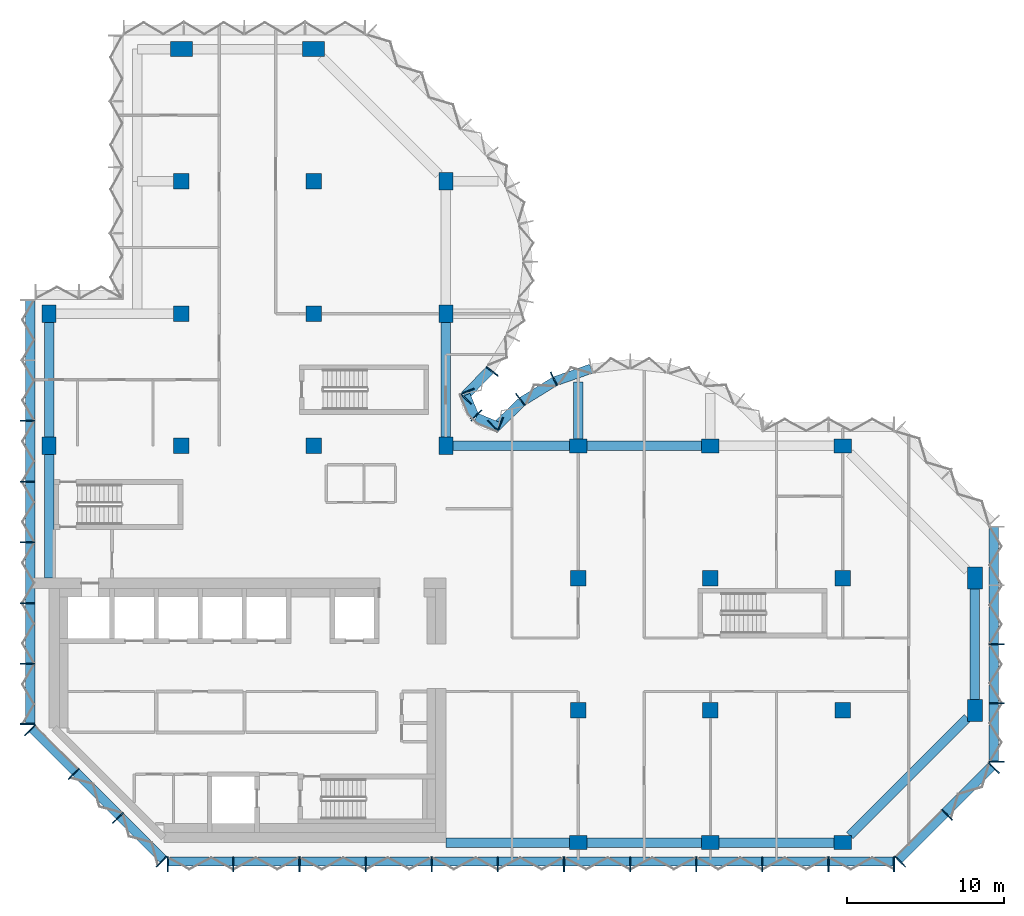
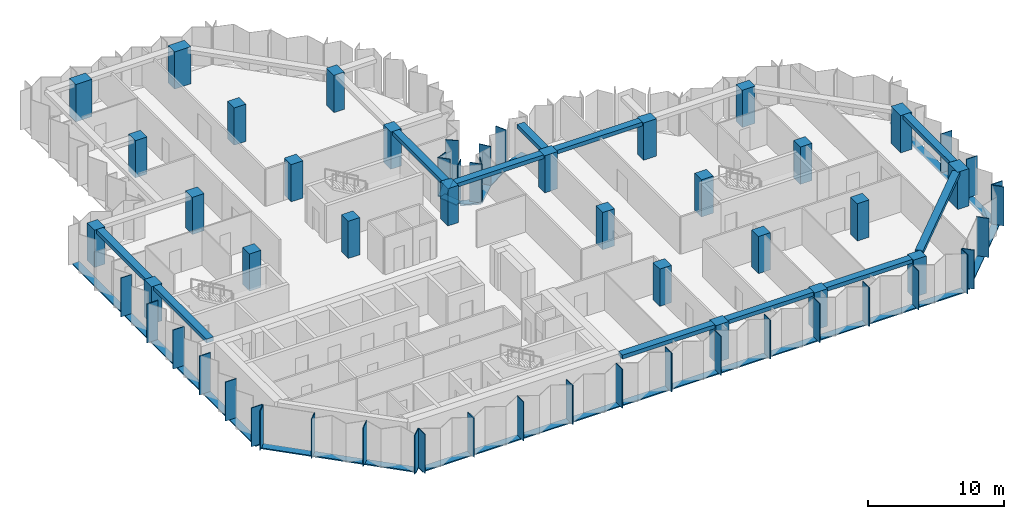
# One storey, part 1 of 10: 47 members, 27 columns, 11 beams, 8 elements without a shape of their own.
"""IFC4 building model written with IfcOpenShell, lengths in metres."""

from ifc_helpers import new_model, si_unit, direction, frame, origin, origin_2d, place, context, subcontext, project, spatial, rectangle, extrude, material, material_profile, profile_set, type_object, element, aggregate, save


model = new_model("IFC4")

# Units and contexts
model_context = context("Model", 3, precision=1e-05, world=origin(), true_north=direction((0.0, 1.0)))
body_context = subcontext(model_context, "Body", "Model", "MODEL_VIEW")
ifc_project = project(units=[si_unit("LENGTHUNIT", "METRE"), si_unit("AREAUNIT", "SQUARE_METRE"), si_unit("VOLUMEUNIT", "CUBIC_METRE"), si_unit("PLANEANGLEUNIT", "RADIAN"), si_unit("MASSUNIT", "GRAM", prefix="KILO")], contexts=[model_context])

# Site, building, storey
site_placement = place(None, origin())
site = spatial("IfcSite", under=ifc_project, at=site_placement, CompositionType="ELEMENT")
building_placement = place(site_placement, origin())
building = spatial("IfcBuilding", under=site, at=building_placement, Name="Brevane Broadcast Tower", CompositionType="ELEMENT")
storey_placement = place(building_placement, frame((0.0, 0.0, 174.0)))
storey = spatial("IfcBuildingStorey", under=building, at=storey_placement, Name="L43", CompositionType="ELEMENT", Elevation=174.0)

# Columns
ifc_material_1 = material(Name="Concrete C60/75", Category="concrete")
ifc_material_profile_1 = material_profile(ifc_material_1, rectangle(XDim=0.89990234375, YDim=1.10009765625, at=origin_2d()), Name="RC 900x1100")
ifc_profile_set_1 = profile_set([ifc_material_profile_1], Name="Concrete C60/75")
column_type_1 = type_object("IfcColumnType", Name="RC COLUMN EDGE 900x1100 C60/75", PredefinedType="COLUMN", material=ifc_profile_set_1)
for number, where, z_axis, x_axis, name in (
    (1, (0.0, 25.199951171875, 0.0), (0.0, 0.0, 1.0), (1.0, 0.0, 0.0), "CE11 1/D"),
    (2, (0.0, 33.60009765625, 0.0), (0.0, 0.0, 1.0), (1.0, 0.0, 0.0), "CE11 1/E"),
    (3, (25.199951171875, 25.199951171875, 0.0), (0.0, 0.0, 1.0), (1.0, 0.0, 0.0), "CE11 4/D"),
    (4, (25.199951171875, 33.60009765625, 0.0), (0.0, 0.0, 1.0), (1.0, 0.0, 0.0), "CE11 4/E"),
    (5, (25.199951171875, 42.0, 0.0), (0.0, 0.0, 1.0), (1.0, 0.0, 0.0), "CE11 4/F"),
    (6, (33.60009765625, 0.0, 0.0), (0.0, 0.0, 1.0), (0.0, 1.0, 0.0), "CE11 5/A"),
    (7, (33.60009765625, 25.199951171875, 0.0), (0.0, 0.0, 1.0), (0.0, 1.0, 0.0), "CE11 5/D"),
    (8, (42.0, 0.0, 0.0), (0.0, 0.0, 1.0), (0.0, 1.0, 0.0), "CE11 6/A"),
    (9, (42.0, 25.199951171875, 0.0), (0.0, 0.0, 1.0), (0.0, 1.0, 0.0), "CE11 6/D"),
    (10, (50.39990234375, 0.0, 0.0), (0.0, 0.0, 1.0), (0.0, 1.0, 0.0), "CE11 7/A"),
    (11, (50.39990234375, 25.199951171875, 0.0), (0.0, 0.0, 1.0), (0.0, 1.0, 0.0), "CE11 7/D"),
):
    element("IfcColumn", number, at=place(storey_placement, frame(where, z_axis=z_axis, x_axis=x_axis)), inside=storey, type_object=column_type_1, Name=name, PredefinedType="COLUMN", context=body_context, shape_type="SweptSolid", body=[
        extrude(rectangle(XDim=0.89990234375, YDim=1.10009765625, at=origin_2d()), origin(), (0.0, 0.0, 1.0), 3.35009765625),
    ])
ifc_material_profile_2 = material_profile(ifc_material_1, rectangle(XDim=1.0, YDim=1.0, at=origin_2d()), Name="RC 1000x1000")
ifc_profile_set_2 = profile_set([ifc_material_profile_2], Name="Concrete C60/75")
column_type_2 = type_object("IfcColumnType", Name="RC COLUMN INTERIOR 1000x1000 C60/75", PredefinedType="COLUMN", material=ifc_profile_set_2)
for number, where, z_axis, x_axis, name in (
    (12, (8.39990234375, 25.199951171875, 0.0), (0.0, 0.0, 1.0), (1.0, 0.0, 0.0), "CI12 2/D"),
    (13, (8.39990234375, 33.60009765625, 0.0), (0.0, 0.0, 1.0), (1.0, 0.0, 0.0), "CI12 2/E"),
    (14, (8.39990234375, 42.0, 0.0), (0.0, 0.0, 1.0), (1.0, 0.0, 0.0), "CI12 2/F"),
    (15, (16.800048828125, 25.199951171875, 0.0), (0.0, 0.0, 1.0), (1.0, 0.0, 0.0), "CI12 3/D"),
    (16, (16.800048828125, 33.60009765625, 0.0), (0.0, 0.0, 1.0), (1.0, 0.0, 0.0), "CI12 3/E"),
    (17, (16.800048828125, 42.0, 0.0), (0.0, 0.0, 1.0), (1.0, 0.0, 0.0), "CI12 3/F"),
    (18, (33.60009765625, 8.39990234375, 0.0), (0.0, 0.0, 1.0), (1.0, 0.0, 0.0), "CI12 5/B"),
    (19, (33.60009765625, 16.800048828125, 0.0), (0.0, 0.0, 1.0), (1.0, 0.0, 0.0), "CI12 5/C"),
    (20, (42.0, 8.39990234375, 0.0), (0.0, 0.0, 1.0), (1.0, 0.0, 0.0), "CI12 6/B"),
    (21, (42.0, 16.800048828125, 0.0), (0.0, 0.0, 1.0), (1.0, 0.0, 0.0), "CI12 6/C"),
    (22, (50.39990234375, 8.39990234375, 0.0), (0.0, 0.0, 1.0), (1.0, 0.0, 0.0), "CI12 7/B"),
    (23, (50.39990234375, 16.800048828125, 0.0), (0.0, 0.0, 1.0), (1.0, 0.0, 0.0), "CI12 7/C"),
):
    element("IfcColumn", number, at=place(storey_placement, frame(where, z_axis=z_axis, x_axis=x_axis)), inside=storey, type_object=column_type_2, Name=name, PredefinedType="COLUMN", context=body_context, shape_type="SweptSolid", body=[
        extrude(rectangle(XDim=1.0, YDim=1.0, at=origin_2d()), origin(), (0.0, 0.0, 1.0), 3.35009765625),
    ])
ifc_material_profile_3 = material_profile(ifc_material_1, rectangle(XDim=0.949951171875, YDim=1.39990234375, at=origin_2d()), Name="RC 950x1400")
ifc_profile_set_3 = profile_set([ifc_material_profile_3], Name="Concrete C60/75")
column_type_3 = type_object("IfcColumnType", Name="RC COLUMN WING-END 950x1400 C60/75", PredefinedType="COLUMN", material=ifc_profile_set_3)
for number, where, z_axis, x_axis, name in (
    (24, (8.39990234375, 50.39990234375, 0.0), (0.0, 0.0, 1.0), (0.0, 1.0, 0.0), "CW13 2/G"),
    (25, (16.800048828125, 50.39990234375, 0.0), (0.0, 0.0, 1.0), (0.0, 1.0, 0.0), "CW13 3/G"),
    (26, (58.800048828125, 8.39990234375, 0.0), (0.0, 0.0, 1.0), (1.0, 0.0, 0.0), "CW13 8/B"),
    (27, (58.800048828125, 16.800048828125, 0.0), (0.0, 0.0, 1.0), (1.0, 0.0, 0.0), "CW13 8/C"),
):
    element("IfcColumn", number, at=place(storey_placement, frame(where, z_axis=z_axis, x_axis=x_axis)), inside=storey, type_object=column_type_3, Name=name, PredefinedType="COLUMN", context=body_context, shape_type="SweptSolid", body=[
        extrude(rectangle(XDim=0.949951171875, YDim=1.39990234375, at=origin_2d()), origin(), (0.0, 0.0, 1.0), 3.35009765625),
    ])

# Curtain wall, members
ifc_material_2 = material(Name="Aluminium 6063-T6 bronze anodised", Category="aluminium")
curtain_wall_type = type_object("IfcCurtainWallType", Name="CW-1 curtain wall", PredefinedType="NOTDEFINED", material=ifc_material_2)
curtain_wall_1_placement = place(storey_placement, origin())
curtain_wall_1 = element("IfcCurtainWall", 28, at=curtain_wall_1_placement, inside=storey, type_object=curtain_wall_type, Name="CW-1 typical tilted unit L43 south face", PredefinedType="NOTDEFINED")
ifc_material_profile_4 = material_profile(ifc_material_2, rectangle(XDim=0.949951171875, YDim=0.070068359375, at=origin_2d()), Name="RECT 70x950")
ifc_profile_set_4 = profile_set([ifc_material_profile_4], Name="Aluminium 6063-T6 bronze anodised")
member_type_1 = type_object("IfcMemberType", Name="CW-1 mullion 70x950", PredefinedType="MULLION", material=ifc_profile_set_4)
member_1_placement = place(storey_placement, frame((7.534912109375, -1.375, -0.14990234375), z_axis=(0.0, 0.0, 1.0), x_axis=(0.0, 1.0, 0.0)))
member_1 = element("IfcMember", 29, at=member_1_placement, type_object=member_type_1, Name="CW-1 mullion", PredefinedType="MULLION", context=body_context, shape_type="SweptSolid", body=[
    extrude(rectangle(XDim=0.949951171875, YDim=0.070068359375, at=origin_2d()), origin(), (0.0, 0.0, 1.0), 3.5),
])
member_2_placement = place(storey_placement, frame((11.699951171875, -1.375, -0.14990234375), z_axis=(0.0, 0.0, 1.0), x_axis=(0.0, 1.0, 0.0)))
member_2 = element("IfcMember", 30, at=member_2_placement, type_object=member_type_1, Name="CW-1 mullion", PredefinedType="MULLION", context=body_context, shape_type="SweptSolid", body=[
    extrude(rectangle(XDim=0.949951171875, YDim=0.070068359375, at=origin_2d()), origin(), (0.0, 0.0, 1.0), 3.5),
])
member_3_placement = place(storey_placement, frame((15.89990234375, -1.375, -0.14990234375), z_axis=(0.0, 0.0, 1.0), x_axis=(0.0, 1.0, 0.0)))
member_3 = element("IfcMember", 31, at=member_3_placement, type_object=member_type_1, Name="CW-1 mullion", PredefinedType="MULLION", context=body_context, shape_type="SweptSolid", body=[
    extrude(rectangle(XDim=0.949951171875, YDim=0.070068359375, at=origin_2d()), origin(), (0.0, 0.0, 1.0), 3.5),
])
member_4_placement = place(storey_placement, frame((20.10009765625, -1.375, -0.14990234375), z_axis=(0.0, 0.0, 1.0), x_axis=(0.0, 1.0, 0.0)))
member_4 = element("IfcMember", 32, at=member_4_placement, type_object=member_type_1, Name="CW-1 mullion", PredefinedType="MULLION", context=body_context, shape_type="SweptSolid", body=[
    extrude(rectangle(XDim=0.949951171875, YDim=0.070068359375, at=origin_2d()), origin(), (0.0, 0.0, 1.0), 3.5),
])
member_5_placement = place(storey_placement, frame((24.300048828125, -1.375, -0.14990234375), z_axis=(0.0, 0.0, 1.0), x_axis=(0.0, 1.0, 0.0)))
member_5 = element("IfcMember", 33, at=member_5_placement, type_object=member_type_1, Name="CW-1 mullion", PredefinedType="MULLION", context=body_context, shape_type="SweptSolid", body=[
    extrude(rectangle(XDim=0.949951171875, YDim=0.070068359375, at=origin_2d()), origin(), (0.0, 0.0, 1.0), 3.5),
])
member_6_placement = place(storey_placement, frame((28.5, -1.375, -0.14990234375), z_axis=(0.0, 0.0, 1.0), x_axis=(0.0, 1.0, 0.0)))
member_6 = element("IfcMember", 34, at=member_6_placement, type_object=member_type_1, Name="CW-1 mullion", PredefinedType="MULLION", context=body_context, shape_type="SweptSolid", body=[
    extrude(rectangle(XDim=0.949951171875, YDim=0.070068359375, at=origin_2d()), origin(), (0.0, 0.0, 1.0), 3.5),
])
member_7_placement = place(storey_placement, frame((32.699951171875, -1.375, -0.14990234375), z_axis=(0.0, 0.0, 1.0), x_axis=(0.0, 1.0, 0.0)))
member_7 = element("IfcMember", 35, at=member_7_placement, type_object=member_type_1, Name="CW-1 mullion", PredefinedType="MULLION", context=body_context, shape_type="SweptSolid", body=[
    extrude(rectangle(XDim=0.949951171875, YDim=0.070068359375, at=origin_2d()), origin(), (0.0, 0.0, 1.0), 3.5),
])
member_8_placement = place(storey_placement, frame((36.89990234375, -1.375, -0.14990234375), z_axis=(0.0, 0.0, 1.0), x_axis=(0.0, 1.0, 0.0)))
member_8 = element("IfcMember", 36, at=member_8_placement, type_object=member_type_1, Name="CW-1 mullion", PredefinedType="MULLION", context=body_context, shape_type="SweptSolid", body=[
    extrude(rectangle(XDim=0.949951171875, YDim=0.070068359375, at=origin_2d()), origin(), (0.0, 0.0, 1.0), 3.5),
])
member_9_placement = place(storey_placement, frame((41.10009765625, -1.375, -0.14990234375), z_axis=(0.0, 0.0, 1.0), x_axis=(0.0, 1.0, 0.0)))
member_9 = element("IfcMember", 37, at=member_9_placement, type_object=member_type_1, Name="CW-1 mullion", PredefinedType="MULLION", context=body_context, shape_type="SweptSolid", body=[
    extrude(rectangle(XDim=0.949951171875, YDim=0.070068359375, at=origin_2d()), origin(), (0.0, 0.0, 1.0), 3.5),
])
member_10_placement = place(storey_placement, frame((45.300048828125, -1.375, -0.14990234375), z_axis=(0.0, 0.0, 1.0), x_axis=(0.0, 1.0, 0.0)))
member_10 = element("IfcMember", 38, at=member_10_placement, type_object=member_type_1, Name="CW-1 mullion", PredefinedType="MULLION", context=body_context, shape_type="SweptSolid", body=[
    extrude(rectangle(XDim=0.949951171875, YDim=0.070068359375, at=origin_2d()), origin(), (0.0, 0.0, 1.0), 3.5),
])
member_11_placement = place(storey_placement, frame((49.5, -1.375, -0.14990234375), z_axis=(0.0, 0.0, 1.0), x_axis=(0.0, 1.0, 0.0)))
member_11 = element("IfcMember", 39, at=member_11_placement, type_object=member_type_1, Name="CW-1 mullion", PredefinedType="MULLION", context=body_context, shape_type="SweptSolid", body=[
    extrude(rectangle(XDim=0.949951171875, YDim=0.070068359375, at=origin_2d()), origin(), (0.0, 0.0, 1.0), 3.5),
])
member_12_placement = place(storey_placement, frame((53.6650390625, -1.375, -0.14990234375), z_axis=(0.0, 0.0, 1.0), x_axis=(0.0, 1.0, 0.0)))
member_12 = element("IfcMember", 40, at=member_12_placement, type_object=member_type_1, Name="CW-1 mullion", PredefinedType="MULLION", context=body_context, shape_type="SweptSolid", body=[
    extrude(rectangle(XDim=0.949951171875, YDim=0.070068359375, at=origin_2d()), origin(), (0.0, 0.0, 1.0), 3.5),
])

curtain_wall_2_placement = place(storey_placement, origin())
curtain_wall_2 = element("IfcCurtainWall", 41, at=curtain_wall_2_placement, inside=storey, type_object=curtain_wall_type, Name="CW-1 typical tilted unit L43 south-east chamfer", PredefinedType="NOTDEFINED")
member_13_placement = place(storey_placement, frame((54.060546875, -1.211181640625, -0.14990234375), z_axis=(0.0, 0.0, 1.0), x_axis=(-0.707106781187, 0.707106781187, 0.0)))
member_13 = element("IfcMember", 42, at=member_13_placement, type_object=member_type_1, Name="CW-1 mullion", PredefinedType="MULLION", context=body_context, shape_type="SweptSolid", body=[
    extrude(rectangle(XDim=0.949951171875, YDim=0.070068359375, at=origin_2d()), origin(), (0.0, 0.0, 1.0), 3.5),
])
member_14_placement = place(storey_placement, frame((57.035888671875, 1.76416015625, -0.14990234375), z_axis=(0.0, 0.0, 1.0), x_axis=(-0.707106781187, 0.707106781187, 0.0)))
member_14 = element("IfcMember", 43, at=member_14_placement, type_object=member_type_1, Name="CW-1 mullion", PredefinedType="MULLION", context=body_context, shape_type="SweptSolid", body=[
    extrude(rectangle(XDim=0.949951171875, YDim=0.070068359375, at=origin_2d()), origin(), (0.0, 0.0, 1.0), 3.5),
])
member_15_placement = place(storey_placement, frame((60.01123046875, 4.7392578125, -0.14990234375), z_axis=(0.0, 0.0, 1.0), x_axis=(-0.707106781187, 0.707106781187, 0.0)))
member_15 = element("IfcMember", 44, at=member_15_placement, type_object=member_type_1, Name="CW-1 mullion", PredefinedType="MULLION", context=body_context, shape_type="SweptSolid", body=[
    extrude(rectangle(XDim=0.949951171875, YDim=0.070068359375, at=origin_2d()), origin(), (0.0, 0.0, 1.0), 3.5),
])

curtain_wall_3_placement = place(storey_placement, origin())
curtain_wall_3 = element("IfcCurtainWall", 45, at=curtain_wall_3_placement, inside=storey, type_object=curtain_wall_type, Name="CW-1 typical tilted unit L43 east end", PredefinedType="NOTDEFINED")
member_16_placement = place(storey_placement, frame((60.175048828125, 5.135009765625, -0.14990234375), z_axis=(0.0, 0.0, 1.0), x_axis=(-1.0, 0.0, 0.0)))
member_16 = element("IfcMember", 46, at=member_16_placement, type_object=member_type_1, Name="CW-1 mullion", PredefinedType="MULLION", context=body_context, shape_type="SweptSolid", body=[
    extrude(rectangle(XDim=0.949951171875, YDim=0.070068359375, at=origin_2d()), origin(), (0.0, 0.0, 1.0), 3.5),
])
member_17_placement = place(storey_placement, frame((60.175048828125, 8.85009765625, -0.14990234375), z_axis=(0.0, 0.0, 1.0), x_axis=(-1.0, 0.0, 0.0)))
member_17 = element("IfcMember", 47, at=member_17_placement, type_object=member_type_1, Name="CW-1 mullion", PredefinedType="MULLION", context=body_context, shape_type="SweptSolid", body=[
    extrude(rectangle(XDim=0.949951171875, YDim=0.070068359375, at=origin_2d()), origin(), (0.0, 0.0, 1.0), 3.5),
])
member_18_placement = place(storey_placement, frame((60.175048828125, 12.60009765625, -0.14990234375), z_axis=(0.0, 0.0, 1.0), x_axis=(-1.0, 0.0, 0.0)))
member_18 = element("IfcMember", 48, at=member_18_placement, type_object=member_type_1, Name="CW-1 mullion", PredefinedType="MULLION", context=body_context, shape_type="SweptSolid", body=[
    extrude(rectangle(XDim=0.949951171875, YDim=0.070068359375, at=origin_2d()), origin(), (0.0, 0.0, 1.0), 3.5),
])

curtain_wall_4_placement = place(storey_placement, origin())
curtain_wall_4 = element("IfcCurtainWall", 49, at=curtain_wall_4_placement, inside=storey, type_object=curtain_wall_type, Name="CW-1 typical tilted unit L43 east bow", PredefinedType="NOTDEFINED")
member_19_placement = place(storey_placement, frame((32.05322265625, 29.4580078125, -0.14990234375), z_axis=(0.0, 0.0, 1.0), x_axis=(0.429933580394, -0.902860518823, 0.0)))
member_19 = element("IfcMember", 50, at=member_19_placement, type_object=member_type_1, Name="CW-1 mullion", PredefinedType="MULLION", context=body_context, shape_type="SweptSolid", body=[
    extrude(rectangle(XDim=0.949951171875, YDim=0.070068359375, at=origin_2d()), origin(), (0.0, 0.0, 1.0), 3.5),
])
member_20_placement = place(storey_placement, frame((29.927978515625, 28.1455078125, -0.14990234375), z_axis=(0.0, 0.0, 1.0), x_axis=(0.614769698862, -0.788706673841, 0.0)))
member_20 = element("IfcMember", 51, at=member_20_placement, type_object=member_type_1, Name="CW-1 mullion", PredefinedType="MULLION", context=body_context, shape_type="SweptSolid", body=[
    extrude(rectangle(XDim=0.949951171875, YDim=0.070068359375, at=origin_2d()), origin(), (0.0, 0.0, 1.0), 3.5),
])
member_21_placement = place(storey_placement, frame((28.194091796875, 26.465087890625, -0.14990234375), z_axis=(0.0, 0.0, 1.0), x_axis=(0.696812089895, -0.717253728729, 0.0)))
member_21 = element("IfcMember", 52, at=member_21_placement, type_object=member_type_1, Name="CW-1 mullion", PredefinedType="MULLION", context=body_context, shape_type="SweptSolid", body=[
    extrude(rectangle(XDim=0.949951171875, YDim=0.070068359375, at=origin_2d()), origin(), (0.0, 0.0, 1.0), 3.5),
])

curtain_wall_5_placement = place(storey_placement, origin())
curtain_wall_5 = element("IfcCurtainWall", 53, at=curtain_wall_5_placement, inside=storey, type_object=curtain_wall_type, Name="CW-1 typical tilted unit L43 inner corner", PredefinedType="NOTDEFINED")
member_22_placement = place(storey_placement, frame((28.6494140625, 26.55224609375, -0.14990234375), z_axis=(0.0, 0.0, 1.0), x_axis=(-0.382683432365, -0.923879532511, 0.0)))
member_22 = element("IfcMember", 54, at=member_22_placement, type_object=member_type_1, Name="CW-1 mullion", PredefinedType="MULLION", context=body_context, shape_type="SweptSolid", body=[
    extrude(rectangle(XDim=0.949951171875, YDim=0.070068359375, at=origin_2d()), origin(), (0.0, 0.0, 1.0), 3.5),
])
member_23_placement = place(storey_placement, frame((27.138916015625, 27.138916015625, -0.14990234375), z_axis=(0.0, 0.0, 1.0), x_axis=(-0.707106781187, -0.707106781187, 0.0)))
member_23 = element("IfcMember", 55, at=member_23_placement, type_object=member_type_1, Name="CW-1 mullion", PredefinedType="MULLION", context=body_context, shape_type="SweptSolid", body=[
    extrude(rectangle(XDim=0.949951171875, YDim=0.070068359375, at=origin_2d()), origin(), (0.0, 0.0, 1.0), 3.5),
])
member_24_placement = place(storey_placement, frame((26.55224609375, 28.6494140625, -0.14990234375), z_axis=(0.0, 0.0, 1.0), x_axis=(-0.923879532511, -0.382683432365, 0.0)))
member_24 = element("IfcMember", 56, at=member_24_placement, type_object=member_type_1, Name="CW-1 mullion", PredefinedType="MULLION", context=body_context, shape_type="SweptSolid", body=[
    extrude(rectangle(XDim=0.949951171875, YDim=0.070068359375, at=origin_2d()), origin(), (0.0, 0.0, 1.0), 3.5),
])

curtain_wall_6_placement = place(storey_placement, origin())
curtain_wall_6 = element("IfcCurtainWall", 57, at=curtain_wall_6_placement, inside=storey, type_object=curtain_wall_type, Name="CW-1 typical tilted unit L43 north bow", PredefinedType="NOTDEFINED")
member_25_placement = place(storey_placement, frame((26.465087890625, 28.194091796875, -0.14990234375), z_axis=(0.0, 0.0, 1.0), x_axis=(-0.717253728729, 0.696812089895, 0.0)))
member_25 = element("IfcMember", 58, at=member_25_placement, type_object=member_type_1, Name="CW-1 mullion", PredefinedType="MULLION", context=body_context, shape_type="SweptSolid", body=[
    extrude(rectangle(XDim=0.949951171875, YDim=0.070068359375, at=origin_2d()), origin(), (0.0, 0.0, 1.0), 3.5),
])
member_26_placement = place(storey_placement, frame((28.1455078125, 29.927978515625, -0.14990234375), z_axis=(0.0, 0.0, 1.0), x_axis=(-0.788706673841, 0.614769698862, 0.0)))
member_26 = element("IfcMember", 59, at=member_26_placement, type_object=member_type_1, Name="CW-1 mullion", PredefinedType="MULLION", context=body_context, shape_type="SweptSolid", body=[
    extrude(rectangle(XDim=0.949951171875, YDim=0.070068359375, at=origin_2d()), origin(), (0.0, 0.0, 1.0), 3.5),
])

curtain_wall_7_placement = place(storey_placement, origin())
curtain_wall_7 = element("IfcCurtainWall", 60, at=curtain_wall_7_placement, inside=storey, type_object=curtain_wall_type, Name="CW-1 typical tilted unit L43 west face", PredefinedType="NOTDEFINED")
member_27_placement = place(storey_placement, frame((-1.375, 26.78564453125, -0.14990234375), z_axis=(0.0, 0.0, 1.0), x_axis=(1.0, 0.0, 0.0)))
member_27 = element("IfcMember", 61, at=member_27_placement, type_object=member_type_1, Name="CW-1 mullion", PredefinedType="MULLION", context=body_context, shape_type="SweptSolid", body=[
    extrude(rectangle(XDim=0.949951171875, YDim=0.070068359375, at=origin_2d()), origin(), (0.0, 0.0, 1.0), 3.5),
])
member_28_placement = place(storey_placement, frame((-1.375, 22.928466796875, -0.14990234375), z_axis=(0.0, 0.0, 1.0), x_axis=(1.0, 0.0, 0.0)))
member_28 = element("IfcMember", 62, at=member_28_placement, type_object=member_type_1, Name="CW-1 mullion", PredefinedType="MULLION", context=body_context, shape_type="SweptSolid", body=[
    extrude(rectangle(XDim=0.949951171875, YDim=0.070068359375, at=origin_2d()), origin(), (0.0, 0.0, 1.0), 3.5),
])
member_29_placement = place(storey_placement, frame((-1.375, 19.071533203125, -0.14990234375), z_axis=(0.0, 0.0, 1.0), x_axis=(1.0, 0.0, 0.0)))
member_29 = element("IfcMember", 63, at=member_29_placement, type_object=member_type_1, Name="CW-1 mullion", PredefinedType="MULLION", context=body_context, shape_type="SweptSolid", body=[
    extrude(rectangle(XDim=0.949951171875, YDim=0.070068359375, at=origin_2d()), origin(), (0.0, 0.0, 1.0), 3.5),
])
member_30_placement = place(storey_placement, frame((-1.375, 15.21435546875, -0.14990234375), z_axis=(0.0, 0.0, 1.0), x_axis=(1.0, 0.0, 0.0)))
member_30 = element("IfcMember", 64, at=member_30_placement, type_object=member_type_1, Name="CW-1 mullion", PredefinedType="MULLION", context=body_context, shape_type="SweptSolid", body=[
    extrude(rectangle(XDim=0.949951171875, YDim=0.070068359375, at=origin_2d()), origin(), (0.0, 0.0, 1.0), 3.5),
])
member_31_placement = place(storey_placement, frame((-1.375, 11.357177734375, -0.14990234375), z_axis=(0.0, 0.0, 1.0), x_axis=(1.0, 0.0, 0.0)))
member_31 = element("IfcMember", 65, at=member_31_placement, type_object=member_type_1, Name="CW-1 mullion", PredefinedType="MULLION", context=body_context, shape_type="SweptSolid", body=[
    extrude(rectangle(XDim=0.949951171875, YDim=0.070068359375, at=origin_2d()), origin(), (0.0, 0.0, 1.0), 3.5),
])
member_32_placement = place(storey_placement, frame((-1.375, 7.534912109375, -0.14990234375), z_axis=(0.0, 0.0, 1.0), x_axis=(1.0, 0.0, 0.0)))
member_32 = element("IfcMember", 66, at=member_32_placement, type_object=member_type_1, Name="CW-1 mullion", PredefinedType="MULLION", context=body_context, shape_type="SweptSolid", body=[
    extrude(rectangle(XDim=0.949951171875, YDim=0.070068359375, at=origin_2d()), origin(), (0.0, 0.0, 1.0), 3.5),
])

curtain_wall_8_placement = place(storey_placement, origin())
curtain_wall_8 = element("IfcCurtainWall", 67, at=curtain_wall_8_placement, inside=storey, type_object=curtain_wall_type, Name="CW-1 typical tilted unit L43 south-west chamfer", PredefinedType="NOTDEFINED")
member_33_placement = place(storey_placement, frame((-1.211181640625, 7.139404296875, -0.14990234375), z_axis=(0.0, 0.0, 1.0), x_axis=(0.707106781187, 0.707106781187, 0.0)))
member_33 = element("IfcMember", 68, at=member_33_placement, type_object=member_type_1, Name="CW-1 mullion", PredefinedType="MULLION", context=body_context, shape_type="SweptSolid", body=[
    extrude(rectangle(XDim=0.949951171875, YDim=0.070068359375, at=origin_2d()), origin(), (0.0, 0.0, 1.0), 3.5),
])
member_34_placement = place(storey_placement, frame((1.564208984375, 4.364013671875, -0.14990234375), z_axis=(0.0, 0.0, 1.0), x_axis=(0.707106781187, 0.707106781187, 0.0)))
member_34 = element("IfcMember", 69, at=member_34_placement, type_object=member_type_1, Name="CW-1 mullion", PredefinedType="MULLION", context=body_context, shape_type="SweptSolid", body=[
    extrude(rectangle(XDim=0.949951171875, YDim=0.070068359375, at=origin_2d()), origin(), (0.0, 0.0, 1.0), 3.5),
])
member_35_placement = place(storey_placement, frame((4.364013671875, 1.564208984375, -0.14990234375), z_axis=(0.0, 0.0, 1.0), x_axis=(0.707106781187, 0.707106781187, 0.0)))
member_35 = element("IfcMember", 70, at=member_35_placement, type_object=member_type_1, Name="CW-1 mullion", PredefinedType="MULLION", context=body_context, shape_type="SweptSolid", body=[
    extrude(rectangle(XDim=0.949951171875, YDim=0.070068359375, at=origin_2d()), origin(), (0.0, 0.0, 1.0), 3.5),
])
member_36_placement = place(storey_placement, frame((7.139404296875, -1.211181640625, -0.14990234375), z_axis=(0.0, 0.0, 1.0), x_axis=(0.707106781187, 0.707106781187, 0.0)))
member_36 = element("IfcMember", 71, at=member_36_placement, type_object=member_type_1, Name="CW-1 mullion", PredefinedType="MULLION", context=body_context, shape_type="SweptSolid", body=[
    extrude(rectangle(XDim=0.949951171875, YDim=0.070068359375, at=origin_2d()), origin(), (0.0, 0.0, 1.0), 3.5),
])

# Member
ifc_material_profile_5 = material_profile(ifc_material_2, rectangle(XDim=0.60009765625, YDim=0.10009765625, at=origin_2d()), Name="RECT 100x600")
ifc_profile_set_5 = profile_set([ifc_material_profile_5], Name="Aluminium 6063-T6 bronze anodised")
member_type_2 = type_object("IfcMemberType", Name="CW-1 transom 100x600", PredefinedType="USERDEFINED", material=ifc_profile_set_5)
member_37_placement = place(storey_placement, frame((7.5, -1.199951171875, -0.199951171875), z_axis=(1.0, 0.0, 0.0), x_axis=(0.0, 1.0, 0.0)))
member_37 = element("IfcMember", 72, at=member_37_placement, type_object=member_type_2, Name="CW-1 transom", ObjectType="TRANSOM", PredefinedType="USERDEFINED", context=body_context, shape_type="SweptSolid", body=[
    extrude(rectangle(XDim=0.60009765625, YDim=0.10009765625, at=origin_2d()), origin(), (0.0, 0.0, 1.0), 46.199951171875),
])

aggregate(curtain_wall_1, [member_1, member_2, member_3, member_4, member_5, member_6, member_7, member_8, member_9, member_10, member_11, member_12, member_37])

member_38_placement = place(storey_placement, frame((53.912109375, -1.112060546875, -0.199951171875), z_axis=(0.707106781187, 0.707106781187, 0.0), x_axis=(-0.707106781187, 0.707106781187, 0.0)))
member_38 = element("IfcMember", 73, at=member_38_placement, type_object=member_type_2, Name="CW-1 transom", ObjectType="TRANSOM", PredefinedType="USERDEFINED", context=body_context, shape_type="SweptSolid", body=[
    extrude(rectangle(XDim=0.60009765625, YDim=0.10009765625, at=origin_2d()), origin(), (0.0, 0.0, 1.0), 8.4853515625),
])

aggregate(curtain_wall_2, [member_13, member_14, member_15, member_38])

member_39_placement = place(storey_placement, frame((60.0, 5.10009765625, -0.199951171875), z_axis=(0.0, 1.0, 0.0), x_axis=(-1.0, 0.0, 0.0)))
member_39 = element("IfcMember", 74, at=member_39_placement, type_object=member_type_2, Name="CW-1 transom", ObjectType="TRANSOM", PredefinedType="USERDEFINED", context=body_context, shape_type="SweptSolid", body=[
    extrude(rectangle(XDim=0.60009765625, YDim=0.10009765625, at=origin_2d()), origin(), (0.0, 0.0, 1.0), 15.0),
])

aggregate(curtain_wall_3, [member_16, member_17, member_18, member_39])

member_40_placement = place(storey_placement, frame((34.425048828125, 30.10302734375, -0.199951171875), z_axis=(-0.944197969542, -0.329378497041, 0.0), x_axis=(0.329378497041, -0.944197969542, 0.0)))
member_40 = element("IfcMember", 75, at=member_40_placement, type_object=member_type_2, Name="CW-1 transom", ObjectType="TRANSOM", PredefinedType="USERDEFINED", context=body_context, shape_type="SweptSolid", body=[
    extrude(rectangle(XDim=0.60009765625, YDim=0.10009765625, at=origin_2d()), origin(), (0.0, 0.0, 1.0), 2.394775390625),
])

member_41_placement = place(storey_placement, frame((32.09521484375, 29.281494140625, -0.199951171875), z_axis=(-0.850838211365, -0.525427766759, 0.0), x_axis=(0.525427766759, -0.850838211365, 0.0)))
member_41 = element("IfcMember", 76, at=member_41_placement, type_object=member_type_2, Name="CW-1 transom", ObjectType="TRANSOM", PredefinedType="USERDEFINED", context=body_context, shape_type="SweptSolid", body=[
    extrude(rectangle(XDim=0.60009765625, YDim=0.10009765625, at=origin_2d()), origin(), (0.0, 0.0, 1.0), 2.394775390625),
])

member_42_placement = place(storey_placement, frame((29.99951171875, 27.974365234375, -0.199951171875), z_axis=(-0.71724215871, -0.696823999134, 0.0), x_axis=(0.696823999134, -0.71724215871, 0.0)))
member_42 = element("IfcMember", 77, at=member_42_placement, type_object=member_type_2, Name="CW-1 transom", ObjectType="TRANSOM", PredefinedType="USERDEFINED", context=body_context, shape_type="SweptSolid", body=[
    extrude(rectangle(XDim=0.60009765625, YDim=0.10009765625, at=origin_2d()), origin(), (0.0, 0.0, 1.0), 2.247802734375),
])

aggregate(curtain_wall_4, [member_19, member_20, member_21, member_40, member_41, member_42])

member_43_placement = place(storey_placement, frame((28.528076171875, 26.40673828125, -0.199951171875), z_axis=(-0.923883243627, 0.382674472816, 0.0), x_axis=(-0.382674472816, -0.923883243627, 0.0)))
member_43 = element("IfcMember", 78, at=member_43_placement, type_object=member_type_2, Name="CW-1 transom", ObjectType="TRANSOM", PredefinedType="USERDEFINED", context=body_context, shape_type="SweptSolid", body=[
    extrude(rectangle(XDim=0.60009765625, YDim=0.10009765625, at=origin_2d()), origin(), (0.0, 0.0, 1.0), 1.536865234375),
])

member_44_placement = place(storey_placement, frame((27.039794921875, 27.0, -0.199951171875), z_axis=(-0.382674472816, 0.923883243627, 0.0), x_axis=(-0.923883243627, -0.382674472816, 0.0)))
member_44 = element("IfcMember", 79, at=member_44_placement, type_object=member_type_2, Name="CW-1 transom", ObjectType="TRANSOM", PredefinedType="USERDEFINED", context=body_context, shape_type="SweptSolid", body=[
    extrude(rectangle(XDim=0.60009765625, YDim=0.10009765625, at=origin_2d()), origin(), (0.0, 0.0, 1.0), 1.536865234375),
])

aggregate(curtain_wall_5, [member_22, member_23, member_24, member_43, member_44])

member_45_placement = place(storey_placement, frame((26.407958984375, 28.38720703125, -0.199951171875), z_axis=(0.696823999134, 0.71724215871, 0.0), x_axis=(-0.71724215871, 0.696823999134, 0.0)))
member_45 = element("IfcMember", 80, at=member_45_placement, type_object=member_type_2, Name="CW-1 transom", ObjectType="TRANSOM", PredefinedType="USERDEFINED", context=body_context, shape_type="SweptSolid", body=[
    extrude(rectangle(XDim=0.60009765625, YDim=0.10009765625, at=origin_2d()), origin(), (0.0, 0.0, 1.0), 2.247802734375),
])

aggregate(curtain_wall_6, [member_25, member_26, member_45])

member_46_placement = place(storey_placement, frame((-1.199951171875, 34.5, -0.199951171875), z_axis=(0.0, -1.0, 0.0), x_axis=(1.0, 0.0, 0.0)))
member_46 = element("IfcMember", 81, at=member_46_placement, type_object=member_type_2, Name="CW-1 transom", ObjectType="TRANSOM", PredefinedType="USERDEFINED", context=body_context, shape_type="SweptSolid", body=[
    extrude(rectangle(XDim=0.60009765625, YDim=0.10009765625, at=origin_2d()), origin(), (0.0, 0.0, 1.0), 27.0),
])

aggregate(curtain_wall_7, [member_27, member_28, member_29, member_30, member_31, member_32, member_46])

member_47_placement = place(storey_placement, frame((-1.112060546875, 7.287841796875, -0.199951171875), z_axis=(0.707106781187, -0.707106781187, 0.0), x_axis=(0.707106781187, 0.707106781187, 0.0)))
member_47 = element("IfcMember", 82, at=member_47_placement, type_object=member_type_2, Name="CW-1 transom", ObjectType="TRANSOM", PredefinedType="USERDEFINED", context=body_context, shape_type="SweptSolid", body=[
    extrude(rectangle(XDim=0.60009765625, YDim=0.10009765625, at=origin_2d()), origin(), (0.0, 0.0, 1.0), 11.879150390625),
])

aggregate(curtain_wall_8, [member_33, member_34, member_35, member_36, member_47])

# Beams
ifc_material_3 = material(Name="Concrete C40/50", Category="concrete")
ifc_material_profile_6 = material_profile(ifc_material_3, rectangle(XDim=0.60009765625, YDim=0.35009765625, at=origin_2d()), Name="RC 600x350")
ifc_profile_set_6 = profile_set([ifc_material_profile_6], Name="Concrete C40/50")
beam_type_1 = type_object("IfcBeamType", Name="RC BRACKET BEAM 600x350 C40/50", PredefinedType="BEAM", material=ifc_profile_set_6)
beam_1_placement = place(storey_placement, frame((33.60009765625, 25.64990234375, 3.175048828125), z_axis=(0.0, 1.0, 0.0), x_axis=(-1.0, 0.0, 0.0)))
element("IfcBeam", 83, at=beam_1_placement, inside=storey, type_object=beam_type_1, Name="EB2 L43-3", PredefinedType="BEAM", context=body_context, shape_type="SweptSolid", body=[
    extrude(rectangle(XDim=0.60009765625, YDim=0.35009765625, at=origin_2d()), origin(), (0.0, 0.0, 1.0), 3.612060546875),
])
ifc_material_profile_7 = material_profile(ifc_material_3, rectangle(XDim=0.60009765625, YDim=0.35009765625, at=origin_2d()), Name="RC 600x350")
ifc_profile_set_7 = profile_set([ifc_material_profile_7], Name="Concrete C40/50")
beam_type_2 = type_object("IfcBeamType", Name="RC SPANDREL BEAM 600x350 C40/50", PredefinedType="SPANDREL", material=ifc_profile_set_7)
beam_2_placement = place(storey_placement, frame((25.199951171875, 0.0, 3.175048828125), z_axis=(1.0, 0.0, 0.0), x_axis=(0.0, 1.0, 0.0)))
element("IfcBeam", 84, at=beam_2_placement, inside=storey, type_object=beam_type_2, Name="EB1 L43-1", PredefinedType="SPANDREL", context=body_context, shape_type="SweptSolid", body=[
    extrude(rectangle(XDim=0.60009765625, YDim=0.35009765625, at=origin_2d()), origin(), (0.0, 0.0, 1.0), 7.85009765625),
])
for number, where, z_axis, x_axis, name in (
    (85, (34.14990234375, 0.0, 3.175048828125), (1.0, 0.0, 0.0), (0.0, 1.0, 0.0), "EB1 L43-2"),
    (86, (42.550048828125, 0.0, 3.175048828125), (1.0, 0.0, 0.0), (0.0, 1.0, 0.0), "EB1 L43-3"),
):
    element("IfcBeam", number, at=place(storey_placement, frame(where, z_axis=z_axis, x_axis=x_axis)), inside=storey, type_object=beam_type_2, Name=name, PredefinedType="SPANDREL", context=body_context, shape_type="SweptSolid", body=[
        extrude(rectangle(XDim=0.60009765625, YDim=0.35009765625, at=origin_2d()), origin(), (0.0, 0.0, 1.0), 7.300048828125),
    ])
beam_3_placement = place(storey_placement, frame((50.85009765625, 0.449951171875, 3.175048828125), z_axis=(0.707095233664, 0.707118328521, 0.0), x_axis=(-0.707118328521, 0.707095233664, 0.0)))
element("IfcBeam", 87, at=beam_3_placement, inside=storey, type_object=beam_type_2, Name="EB1 L43-4", PredefinedType="SPANDREL", context=body_context, shape_type="SweptSolid", body=[
    extrude(rectangle(XDim=0.60009765625, YDim=0.35009765625, at=origin_2d()), origin(), (0.0, 0.0, 1.0), 10.5712890625),
])
beam_4_placement = place(storey_placement, frame((58.800048828125, 9.10009765625, 3.175048828125), z_axis=(0.0, 1.0, 0.0), x_axis=(-1.0, 0.0, 0.0)))
element("IfcBeam", 88, at=beam_4_placement, inside=storey, type_object=beam_type_2, Name="EB1 L43-5", PredefinedType="SPANDREL", context=body_context, shape_type="SweptSolid", body=[
    extrude(rectangle(XDim=0.60009765625, YDim=0.35009765625, at=origin_2d()), origin(), (0.0, 0.0, 1.0), 7.0),
])
beam_5_placement = place(storey_placement, frame((41.449951171875, 25.199951171875, 3.175048828125), z_axis=(-1.0, 0.0, 0.0), x_axis=(0.0, -1.0, 0.0)))
element("IfcBeam", 89, at=beam_5_placement, inside=storey, type_object=beam_type_2, Name="EB1 L43-8", PredefinedType="SPANDREL", context=body_context, shape_type="SweptSolid", body=[
    extrude(rectangle(XDim=0.60009765625, YDim=0.35009765625, at=origin_2d()), origin(), (0.0, 0.0, 1.0), 7.300048828125),
])
beam_6_placement = place(storey_placement, frame((33.050048828125, 25.199951171875, 3.175048828125), z_axis=(-1.0, 0.0, 0.0), x_axis=(0.0, -1.0, 0.0)))
element("IfcBeam", 90, at=beam_6_placement, inside=storey, type_object=beam_type_2, Name="EB1 L43-9", PredefinedType="SPANDREL", context=body_context, shape_type="SweptSolid", body=[
    extrude(rectangle(XDim=0.60009765625, YDim=0.35009765625, at=origin_2d()), origin(), (0.0, 0.0, 1.0), 7.400146484375),
])
for number, where, z_axis, x_axis, name in (
    (91, (25.199951171875, 25.75, 3.175048828125), (0.0, 1.0, 0.0), (-1.0, 0.0, 0.0), "EB1 L43-10"),
    (92, (0.0, 33.050048828125, 3.175048828125), (0.0, -1.0, 0.0), (1.0, 0.0, 0.0), "EB1 L43-14"),
):
    element("IfcBeam", number, at=place(storey_placement, frame(where, z_axis=z_axis, x_axis=x_axis)), inside=storey, type_object=beam_type_2, Name=name, PredefinedType="SPANDREL", context=body_context, shape_type="SweptSolid", body=[
        extrude(rectangle(XDim=0.60009765625, YDim=0.35009765625, at=origin_2d()), origin(), (0.0, 0.0, 1.0), 7.300048828125),
    ])
beam_7_placement = place(storey_placement, frame((0.0, 24.64990234375, 3.175048828125), z_axis=(0.0, -1.0, 0.0), x_axis=(1.0, 0.0, 0.0)))
element("IfcBeam", 93, at=beam_7_placement, inside=storey, type_object=beam_type_2, Name="EB1 L43-15", PredefinedType="SPANDREL", context=body_context, shape_type="SweptSolid", body=[
    extrude(rectangle(XDim=0.60009765625, YDim=0.35009765625, at=origin_2d()), origin(), (0.0, 0.0, 1.0), 7.849853515625),
])

save(model, "model.ifc")
